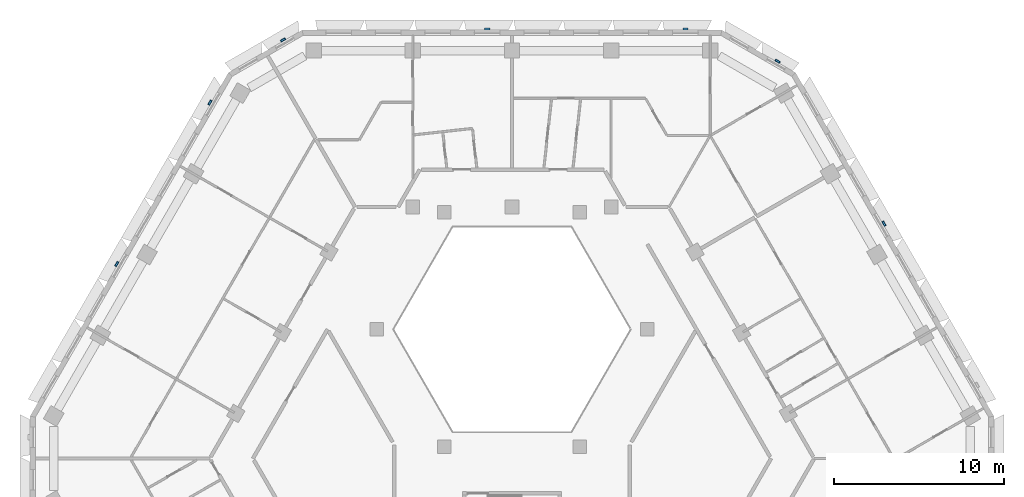
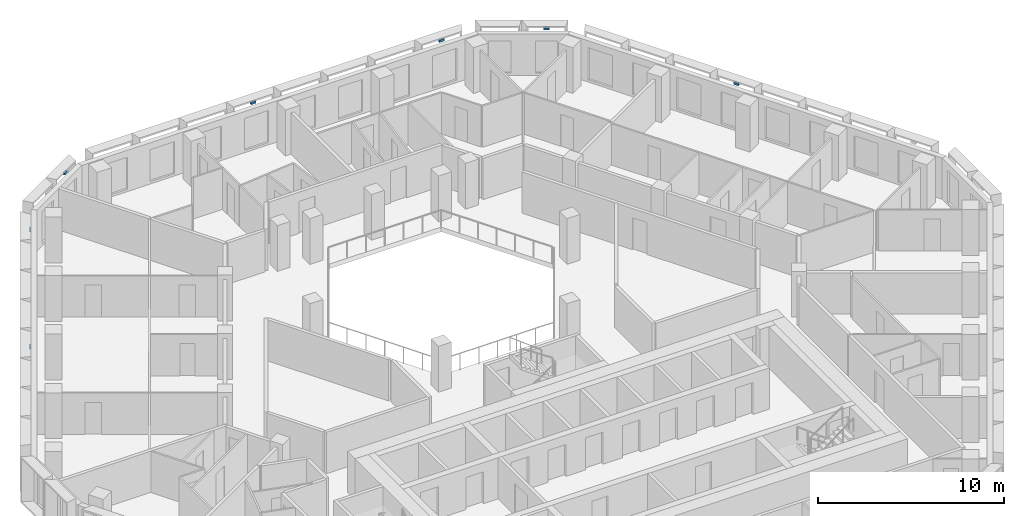
# One storey, part 11 of 17: 7 discrete accessories.
"""IFC4 building model written with IfcOpenShell, lengths in metres."""

from ifc_helpers import new_model, si_unit, direction, frame, origin, place, context, subcontext, project, spatial, polyline, outline, extrude, source, transform, mapped, material, type_object, type_shapes, element, save


model = new_model("IFC4")

# Units and contexts
model_context = context("Model", 3, precision=1e-05, world=origin(), true_north=direction((0.0, 1.0)))
body_context = subcontext(model_context, "Body", "Model", "MODEL_VIEW")
ifc_project = project(units=[si_unit("LENGTHUNIT", "METRE"), si_unit("AREAUNIT", "SQUARE_METRE"), si_unit("VOLUMEUNIT", "CUBIC_METRE"), si_unit("PLANEANGLEUNIT", "RADIAN"), si_unit("MASSUNIT", "GRAM", prefix="KILO")], contexts=[model_context])

# Site, building, storey
site_placement = place(None, origin())
site = spatial("IfcSite", under=ifc_project, at=site_placement, CompositionType="ELEMENT")
building_placement = place(site_placement, origin())
building = spatial("IfcBuilding", under=site, at=building_placement, Name="Beryl Residences", CompositionType="ELEMENT")
storey_placement = place(building_placement, frame((0.0, 0.0, 144.60009765625)))
storey = spatial("IfcBuildingStorey", under=building, at=storey_placement, Name="L44", CompositionType="ELEMENT", Elevation=144.60009765625)

# Discrete accessories
ifc_material = material(Name="Steel S355", Category="steel")
discrete_accessory_type = type_object("IfcDiscreteAccessoryType", Name="BR1 frame bracket 300 x 120 x 150 mm", PredefinedType="BRACKET", material=ifc_material)
shared_shape = source(origin(), body_context, "Body", "SweptSolid", [
    extrude(outline(polyline([(-0.14990234375, 0.0), (0.14990234375, 0.0), (0.14990234375, 0.1201171875), (-0.14990234375, 0.1201171875), (-0.14990234375, 0.0)])), origin(), (0.0, 0.0, 1.0), 0.14990234375),
])
type_shapes(discrete_accessory_type, [shared_shape])
for number, where, z_axis, x_axis, name in (
    (1, (10.2041015625, 25.60009765625, 2.75), (0.0, 0.0, 1.0), (1.0, 0.0, 0.0), "BR1 bracket L44 N 1"),
    (2, (-1.4580078125, 25.60009765625, 2.75), (0.0, 0.0, 1.0), (1.0, 0.0, 0.0), "BR1 bracket L44 N 5"),
    (3, (-13.43798828125, 24.97509765625, 2.75), (0.0, 0.0, 1.0), (0.866025403784, 0.5, 0.0), "BR1 bracket L44 N-NW 1"),
    (4, (-17.718017578125, 21.31298828125, 2.75), (0.0, 0.0, 1.0), (0.5, 0.866025403784, 0.0), "BR1 bracket L44 NW 1"),
    (5, (-23.202880859375, 11.81201171875, 2.75), (0.0, 0.0, 1.0), (0.5, 0.866025403784, 0.0), "BR1 bracket L44 NW 5"),
    (6, (21.8310546875, 14.18798828125, 2.75), (0.0, 0.0, 1.0), (0.5, -0.866025403784, 0.0), "BR1 bracket L44 NE 5"),
    (7, (15.60205078125, 23.72509765625, 2.75), (0.0, 0.0, 1.0), (0.866025403784, -0.5, 0.0), "BR1 bracket L44 NE-N 1"),
):
    element("IfcDiscreteAccessory", number, at=place(storey_placement, frame(where, z_axis=z_axis, x_axis=x_axis)), inside=storey, type_object=discrete_accessory_type, Name=name, PredefinedType="BRACKET", context=body_context, shape_type="MappedRepresentation", body=[
        mapped(shared_shape, transform((0.0, 0.0, 0.0))),
    ])

save(model, "model.ifc")
